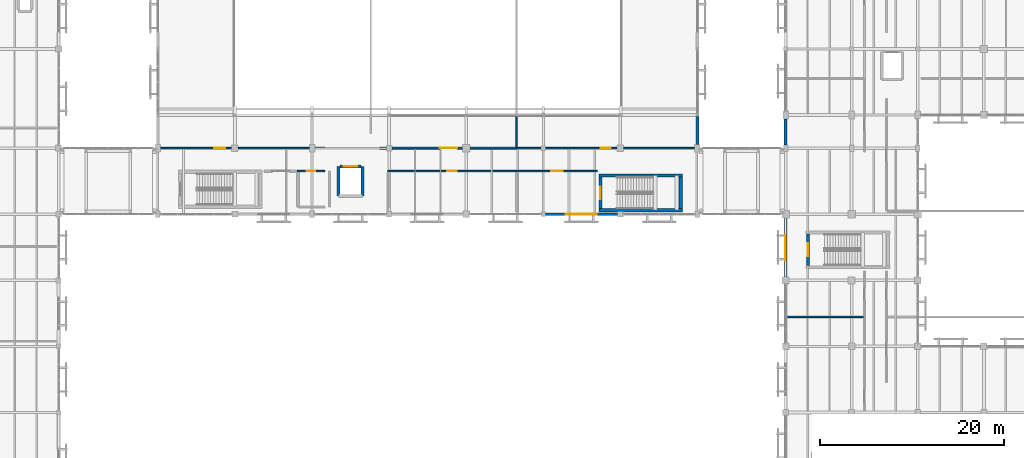
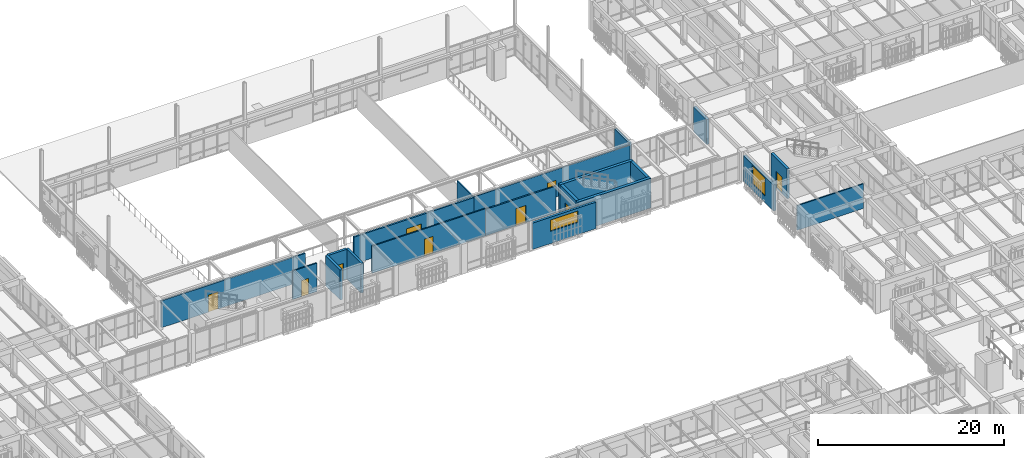
# One storey, part 135 of 170: 20 walls, 9 doors, 2 windows, 11 openings.
"""IFC4 building model written with IfcOpenShell, lengths in metres."""

from ifc_helpers import new_model, si_unit, direction, frame, frame_2d, origin, place, context, subcontext, project, spatial, rectangle, extrude, material, layer, layer_set, type_object, element, fill, save


model = new_model("IFC4")

# Units and contexts
model_context = context("Model", 3, precision=1e-05, world=origin(), true_north=direction((0.0, 1.0)))
body_context = subcontext(model_context, "Body", "Model", "MODEL_VIEW")
ifc_project = project(units=[si_unit("LENGTHUNIT", "METRE"), si_unit("AREAUNIT", "SQUARE_METRE"), si_unit("VOLUMEUNIT", "CUBIC_METRE"), si_unit("PLANEANGLEUNIT", "RADIAN"), si_unit("MASSUNIT", "GRAM", prefix="KILO")], contexts=[model_context])

# Site, building, storey
site_placement = place(None, origin())
site = spatial("IfcSite", under=ifc_project, at=site_placement, CompositionType="ELEMENT")
building_placement = place(site_placement, origin())
building = spatial("IfcBuilding", under=site, at=building_placement, Name="Mazaris Harbour Polytechnic", CompositionType="ELEMENT")
storey_placement = place(building_placement, frame((0.0, 0.0, 5.39990234375)))
storey = spatial("IfcBuildingStorey", under=building, at=storey_placement, Name="L01", CompositionType="ELEMENT", Elevation=5.39990234375)

# Walls
ifc_material_1 = material(Name="Double Gypsum and Mineral Wool")
ifc_layer_1 = layer(ifc_material_1, 0.14990234375, Name="Double Gypsum and Mineral Wool")
ifc_layer_set_1 = layer_set([ifc_layer_1], Name="Double Gypsum and Mineral Wool")
wall_type_1 = type_object("IfcWallType", Name="Classroom Acoustic Partition 150", PredefinedType="PARTITIONING", material=ifc_layer_set_1)
wall_1_placement = place(storey_placement, frame((93.10009765625, 82.919921875, 0.0), z_axis=(0.0, 0.0, 1.0), x_axis=(0.0, 1.0, 0.0)))
element("IfcWall", 1, at=wall_1_placement, inside=storey, type_object=wall_type_1, Name="V1 L01 Partition 56", PredefinedType="PARTITIONING", context=body_context, shape_type="SweptSolid", body=[
    extrude(rectangle(XDim=3.31005859375, YDim=0.14990234375, at=frame_2d((1.655029296875, 0.0))), origin(), (0.0, 0.0, 1.0), 3.630126953125),
])
wall_2_placement = place(storey_placement, frame((122.64990234375, 64.4140625, 0.0), z_axis=(0.0, 0.0, 1.0), x_axis=(1.0, 0.0, 0.0)))
element("IfcWall", 2, at=wall_2_placement, inside=storey, type_object=wall_type_1, Name="V5 L01 Partition 580", PredefinedType="PARTITIONING", context=body_context, shape_type="SweptSolid", body=[
    extrude(rectangle(XDim=8.22998046875, YDim=0.14990234375, at=frame_2d((4.114990234375, 0.0))), origin(), (0.0, 0.0, 1.0), 3.239990234375),
])

# Wall, opening, door
ifc_material_2 = material(Name="Terracotta Block and Plaster", Category="masonry")
ifc_layer_2 = layer(ifc_material_2, 0.179931640625, Name="Terracotta Block and Plaster")
ifc_layer_set_2 = layer_set([ifc_layer_2], Name="Terracotta Block and Plaster")
wall_type_2 = type_object("IfcWallType", Name="Corridor Fire Partition 180", PredefinedType="PARTITIONING", material=ifc_layer_set_2)
wall_3_placement = place(storey_placement, frame((93.10498046875, 80.300048828125, 0.0), z_axis=(0.0, 0.0, 1.0), x_axis=(1.0, 0.0, 0.0)))
wall_3 = element("IfcWall", 3, at=wall_3_placement, inside=storey, type_object=wall_type_2, Name="V1 L01 Partition 52", PredefinedType="PARTITIONING", context=body_context, shape_type="SweptSolid", body=[
    extrude(rectangle(XDim=8.77490234375, YDim=0.179931640625, at=frame_2d((4.387451171875, 0.0))), origin(), (0.0, 0.0, 1.0), 3.47021484375),
])
opening_1_placement = place(wall_3_placement, frame((3.767578125, 0.0, 0.0)))
opening_1 = element("IfcOpeningElement", 4, at=opening_1_placement, cuts=wall_3, Name="Opening ID-10R", PredefinedType="OPENING", context=body_context, shape_type="SweptSolid", body=[
    extrude(rectangle(XDim=1.239990234375, YDim=2.25, at=frame_2d((0.6201171875, 1.125))), frame((0.0, 0.099853515625, 0.0), z_axis=(0.0, -1.0, 0.0), x_axis=(1.0, 0.0, 0.0)), (0.0, 0.0, 1.0), 0.199951171875),
])
ifc_material_3 = material(Name="Glulam Timber and Glass", Category="wood")
door_type_1 = type_object("IfcDoorType", Name="Library Commons Door RH 1240x2250", OperationType="SINGLE_SWING_RIGHT", PredefinedType="DOOR", material=ifc_material_3)
door_1_placement = place(opening_1_placement, origin())
door_1 = element("IfcDoor", 5, at=door_1_placement, inside=storey, type_object=door_type_1, Name="ID-0024", OperationType="SINGLE_SWING_RIGHT", OverallHeight=2.25, OverallWidth=1.239990234375, PredefinedType="DOOR", context=body_context, shape_type="SweptSolid", body=[
    extrude(rectangle(XDim=1.239990234375, YDim=2.25, at=frame_2d((0.6201171875, 1.125))), frame((0.0, 0.02490234375, 0.0), z_axis=(0.0, -1.0, 0.0), x_axis=(1.0, 0.0, 0.0)), (0.0, 0.0, 1.0), 0.050048828125),
])
fill(opening_1, door_1)

wall_4_placement = place(storey_placement, frame((54.300048828125, 82.800048828125, 0.0), z_axis=(0.0, 0.0, 1.0), x_axis=(1.0, 0.0, 0.0)))
wall_4 = element("IfcWall", 6, at=wall_4_placement, inside=storey, type_object=wall_type_2, Name="V1 L01 Partition 53", PredefinedType="PARTITIONING", context=body_context, shape_type="SweptSolid", body=[
    extrude(rectangle(XDim=17.89501953125, YDim=0.179931640625, at=frame_2d((8.947509765625, 0.0))), origin(), (0.0, 0.0, 1.0), 3.530029296875),
])
opening_2_placement = place(wall_4_placement, frame((5.836181640625, 0.0, 0.0)))
opening_2 = element("IfcOpeningElement", 7, at=opening_2_placement, cuts=wall_4, Name="Opening ID-10L", PredefinedType="OPENING", context=body_context, shape_type="SweptSolid", body=[
    extrude(rectangle(XDim=1.219970703125, YDim=2.25, at=frame_2d((0.60986328125, 1.125))), frame((0.0, 0.099853515625, 0.0), z_axis=(0.0, -1.0, 0.0), x_axis=(1.0, 0.0, 0.0)), (0.0, 0.0, 1.0), 0.199951171875),
])
ifc_material_4 = material(Name="Glulam Timber and Glass", Category="wood")
door_type_2 = type_object("IfcDoorType", Name="Library Commons Door LH 1220x2250", OperationType="SINGLE_SWING_LEFT", PredefinedType="DOOR", material=ifc_material_4)
door_2_placement = place(opening_2_placement, origin())
door_2 = element("IfcDoor", 8, at=door_2_placement, inside=storey, type_object=door_type_2, Name="ID-0025", OperationType="SINGLE_SWING_LEFT", OverallHeight=2.25, OverallWidth=1.219970703125, PredefinedType="DOOR", context=body_context, shape_type="SweptSolid", body=[
    extrude(rectangle(XDim=1.219970703125, YDim=2.25, at=frame_2d((0.60986328125, 1.125))), frame((0.0, 0.02490234375, 0.0), z_axis=(0.0, -1.0, 0.0), x_axis=(1.0, 0.0, 0.0)), (0.0, 0.0, 1.0), 0.050048828125),
])
fill(opening_2, door_2)

ifc_material_5 = material(Name="Fireboard and Mineral Wool")
ifc_layer_3 = layer(ifc_material_5, 0.1650390625, Name="Fireboard and Mineral Wool")
ifc_layer_set_3 = layer_set([ifc_layer_3], Name="Fireboard and Mineral Wool")
wall_type_3 = type_object("IfcWallType", Name="Laboratory Rated Partition 165", PredefinedType="PARTITIONING", material=ifc_layer_set_3)
wall_5_placement = place(storey_placement, frame((79.0400390625, 80.300048828125, 0.0), z_axis=(0.0, 0.0, 1.0), x_axis=(1.0, 0.0, 0.0)))
wall_5 = element("IfcWall", 9, at=wall_5_placement, inside=storey, type_object=wall_type_3, Name="V1 L01 Partition 49", PredefinedType="PARTITIONING", context=body_context, shape_type="SweptSolid", body=[
    extrude(rectangle(XDim=14.06005859375, YDim=0.1650390625, at=frame_2d((7.030029296875, 0.0))), origin(), (0.0, 0.0, 1.0), 3.56005859375),
])
opening_3_placement = place(wall_5_placement, frame((6.5048828125, 0.0, 0.0)))
opening_3 = element("IfcOpeningElement", 10, at=opening_3_placement, cuts=wall_5, Name="Opening ID-02L", PredefinedType="OPENING", context=body_context, shape_type="SweptSolid", body=[
    extrude(rectangle(XDim=1.050048828125, YDim=2.199951171875, at=frame_2d((0.52490234375, 1.10009765625))), frame((0.0, 0.092529296875, 0.0), z_axis=(0.0, -1.0, 0.0), x_axis=(1.0, 0.0, 0.0)), (0.0, 0.0, 1.0), 0.18505859375),
])
ifc_material_6 = material(Name="Solid Timber and Vision Panel", Category="wood")
door_type_3 = type_object("IfcDoorType", Name="Laboratory Fire Door LH 1050x2200", OperationType="SINGLE_SWING_LEFT", PredefinedType="DOOR", material=ifc_material_6)
door_3_placement = place(opening_3_placement, origin())
door_3 = element("IfcDoor", 11, at=door_3_placement, inside=storey, type_object=door_type_3, Name="ID-0023", OperationType="SINGLE_SWING_LEFT", OverallHeight=2.199951171875, OverallWidth=1.050048828125, PredefinedType="DOOR", context=body_context, shape_type="SweptSolid", body=[
    extrude(rectangle(XDim=1.050048828125, YDim=2.199951171875, at=frame_2d((0.52490234375, 1.10009765625))), frame((0.0, 0.02490234375, 0.0), z_axis=(0.0, -1.0, 0.0), x_axis=(1.0, 0.0, 0.0)), (0.0, 0.0, 1.0), 0.050048828125),
])
fill(opening_3, door_3)

wall_6_placement = place(storey_placement, frame((93.10498046875, 82.800048828125, 0.0), z_axis=(0.0, 0.0, 1.0), x_axis=(1.0, 0.0, 0.0)))
wall_6 = element("IfcWall", 12, at=wall_6_placement, inside=storey, type_object=wall_type_3, Name="V1 L01 Partition 57", PredefinedType="PARTITIONING", context=body_context, shape_type="SweptSolid", body=[
    extrude(rectangle(XDim=19.39501953125, YDim=0.1650390625, at=frame_2d((9.697509765625, 0.0))), origin(), (0.0, 0.0, 1.0), 3.590087890625),
])
opening_4_placement = place(wall_6_placement, frame((9.172607421875, 0.0, 0.0)))
opening_4 = element("IfcOpeningElement", 13, at=opening_4_placement, cuts=wall_6, Name="Opening ID-02L", PredefinedType="OPENING", context=body_context, shape_type="SweptSolid", body=[
    extrude(rectangle(XDim=1.050048828125, YDim=2.199951171875, at=frame_2d((0.52490234375, 1.10009765625))), frame((0.0, 0.092529296875, 0.0), z_axis=(0.0, -1.0, 0.0), x_axis=(1.0, 0.0, 0.0)), (0.0, 0.0, 1.0), 0.18505859375),
])
door_4_placement = place(opening_4_placement, origin())
door_4 = element("IfcDoor", 14, at=door_4_placement, inside=storey, type_object=door_type_3, Name="ID-0027", OperationType="SINGLE_SWING_LEFT", OverallHeight=2.199951171875, OverallWidth=1.050048828125, PredefinedType="DOOR", context=body_context, shape_type="SweptSolid", body=[
    extrude(rectangle(XDim=1.050048828125, YDim=2.199951171875, at=frame_2d((0.52490234375, 1.10009765625))), frame((0.0, 0.02490234375, 0.0), z_axis=(0.0, -1.0, 0.0), x_axis=(1.0, 0.0, 0.0)), (0.0, 0.0, 1.0), 0.050048828125),
])
fill(opening_4, door_4)

# Wall, opening, window
ifc_material_7 = material(Name="Algerian Buff Limestone and Mineral Wool", Category="masonry")
ifc_layer_4 = layer(ifc_material_7, 0.31005859375, Name="Algerian Buff Limestone and Mineral Wool")
ifc_layer_set_4 = layer_set([ifc_layer_4], Name="Algerian Buff Limestone and Mineral Wool")
wall_type_4 = type_object("IfcWallType", Name="Limestone Studio Wall 310", PredefinedType="STANDARD", material=ifc_layer_set_4)
wall_7_placement = place(storey_placement, frame((122.39990234375, 68.76708984375, 0.0), z_axis=(0.0, 0.0, 1.0), x_axis=(0.0, 1.0, 0.0)))
wall_7 = element("IfcWall", 15, at=wall_7_placement, inside=storey, type_object=wall_type_4, Name="V5 L01 Exterior Wall 321", PredefinedType="STANDARD", context=body_context, shape_type="SweptSolid", body=[
    extrude(rectangle(XDim=6.44091796875, YDim=0.31005859375, at=frame_2d((3.220458984375, 0.0))), origin(), (0.0, 0.0, 1.0), 3.400146484375),
])
opening_5_placement = place(wall_7_placement, frame((1.820556640625, 0.0, 0.85009765625)))
opening_5 = element("IfcOpeningElement", 16, at=opening_5_placement, cuts=wall_7, Name="Opening WN-09", PredefinedType="OPENING", context=body_context, shape_type="SweptSolid", body=[
    extrude(rectangle(XDim=2.800048828125, YDim=2.39990234375, at=frame_2d((1.39990234375, 1.199951171875))), frame((0.0, 0.1650390625, 0.0), z_axis=(0.0, -1.0, 0.0), x_axis=(1.0, 0.0, 0.0)), (0.0, 0.0, 1.0), 0.330078125),
])
ifc_material_8 = material(Name="Thermally Broken Bronze Aluminium and Low-E Glass", Category="aluminium")
window_type_1 = type_object("IfcWindowType", Name="Studio North Window 2800x2400", PartitioningType="DOUBLE_PANEL_VERTICAL", PredefinedType="WINDOW", material=ifc_material_8)
window_1_placement = place(opening_5_placement, origin())
window_1 = element("IfcWindow", 17, at=window_1_placement, inside=storey, type_object=window_type_1, Name="WN-0374", OverallHeight=2.39990234375, OverallWidth=2.800048828125, PartitioningType="DOUBLE_PANEL_VERTICAL", PredefinedType="WINDOW", context=body_context, shape_type="SweptSolid", body=[
    extrude(rectangle(XDim=2.800048828125, YDim=2.39990234375, at=frame_2d((1.39990234375, 1.199951171875))), frame((0.0, 0.030029296875, 0.0), z_axis=(0.0, -1.0, 0.0), x_axis=(1.0, 0.0, 0.0)), (0.0, 0.0, 1.0), 0.06005859375),
])
fill(opening_5, window_1)

# Wall
wall_8_placement = place(storey_placement, frame((122.39990234375, 83.14208984375, 0.0), z_axis=(0.0, 0.0, 1.0), x_axis=(0.0, 1.0, 0.0)))
element("IfcWall", 18, at=wall_8_placement, inside=storey, type_object=wall_type_4, Name="V5 L01 Exterior Wall 322", PredefinedType="STANDARD", context=body_context, shape_type="SweptSolid", body=[
    extrude(rectangle(XDim=2.8408203125, YDim=0.31005859375, at=frame_2d((1.42041015625, 0.0))), origin(), (0.0, 0.0, 1.0), 3.280029296875),
])

# Wall, opening, door
ifc_material_9 = material(Name="Concrete C40/50", Category="concrete")
ifc_layer_5 = layer(ifc_material_9, 0.324951171875, Name="Concrete C40/50")
ifc_layer_set_5 = layer_set([ifc_layer_5], Name="Concrete C40/50")
wall_type_5 = type_object("IfcWallType", Name="RC Core Shear Wall 325", PredefinedType="SHEAR", material=ifc_layer_set_5)
wall_9_placement = place(storey_placement, frame((124.824951171875, 73.449951171875, 0.0), z_axis=(0.0, 0.0, 1.0), x_axis=(0.0, -1.0, 0.0)))
wall_9 = element("IfcWall", 19, at=wall_9_placement, inside=storey, type_object=wall_type_5, Name="Core ST09 L01 Entrance Shear Wall", PredefinedType="SHEAR", context=body_context, shape_type="SweptSolid", body=[
    extrude(rectangle(XDim=3.449951171875, YDim=0.324951171875, at=frame_2d((1.72509765625, 0.0))), origin(), (0.0, 0.0, 1.0), 3.920166015625),
])
opening_6_placement = place(wall_9_placement, frame((1.034912109375, 0.0, 0.0)))
opening_6 = element("IfcOpeningElement", 20, at=opening_6_placement, cuts=wall_9, Name="Opening SD-01", PredefinedType="OPENING", context=body_context, shape_type="SweptSolid", body=[
    extrude(rectangle(XDim=1.3798828125, YDim=2.199951171875, at=frame_2d((0.68994140625, 1.10009765625))), frame((0.0, 0.17236328125, 0.0), z_axis=(0.0, -1.0, 0.0), x_axis=(1.0, 0.0, 0.0)), (0.0, 0.0, 1.0), 0.344970703125),
])
ifc_material_10 = material(Name="Glulam Timber and Fire Glass", Category="wood")
door_type_4 = type_object("IfcDoorType", Name="Protected Stair Lobby Fire Door 1380x2200", OperationType="DOUBLE_DOOR_SINGLE_SWING", PredefinedType="DOOR", material=ifc_material_10)
door_5_placement = place(opening_6_placement, origin())
door_5 = element("IfcDoor", 21, at=door_5_placement, inside=storey, type_object=door_type_4, Name="SD-044", OperationType="DOUBLE_DOOR_SINGLE_SWING", OverallHeight=2.199951171875, OverallWidth=1.3798828125, PredefinedType="DOOR", context=body_context, shape_type="SweptSolid", body=[
    extrude(rectangle(XDim=1.3798828125, YDim=2.199951171875, at=frame_2d((0.68994140625, 1.10009765625))), frame((0.0, 0.02490234375, 0.0), z_axis=(0.0, -1.0, 0.0), x_axis=(1.0, 0.0, 0.0)), (0.0, 0.0, 1.0), 0.050048828125),
])
fill(opening_6, door_5)

# Walls
ifc_material_11 = material(Name="Concrete C40/50", Category="concrete")
ifc_layer_6 = layer(ifc_material_11, 0.35009765625, Name="Concrete C40/50")
ifc_layer_set_6 = layer_set([ifc_layer_6], Name="Concrete C40/50")
wall_type_6 = type_object("IfcWallType", Name="RC Core Shear Wall 350", PredefinedType="SHEAR", material=ifc_layer_set_6)
for number, where, z_axis, x_axis, name in (
    (22, (102.050048828125, 76.02490234375, 0.0), (0.0, 0.0, 1.0), (1.0, 0.0, 0.0), "Core ST02 L01 Shear Wall S"),
    (23, (111.14990234375, 79.824951171875, 0.0), (0.0, 0.0, 1.0), (-1.0, 0.0, 0.0), "Core ST02 L01 Shear Wall N"),
):
    element("IfcWall", number, at=place(storey_placement, frame(where, z_axis=z_axis, x_axis=x_axis)), inside=storey, type_object=wall_type_6, Name=name, PredefinedType="SHEAR", context=body_context, shape_type="SweptSolid", body=[
        extrude(rectangle(XDim=9.099853515625, YDim=0.35009765625, at=frame_2d((4.5498046875, 0.0))), origin(), (0.0, 0.0, 1.0), 3.920166015625),
    ])
wall_10_placement = place(storey_placement, frame((110.97509765625, 76.199951171875, 0.0), z_axis=(0.0, 0.0, 1.0), x_axis=(0.0, 1.0, 0.0)))
element("IfcWall", 24, at=wall_10_placement, inside=storey, type_object=wall_type_6, Name="Core ST02 L01 Shear Wall E", PredefinedType="SHEAR", context=body_context, shape_type="SweptSolid", body=[
    extrude(rectangle(XDim=3.449951171875, YDim=0.35009765625, at=frame_2d((1.72509765625, 0.0))), origin(), (0.0, 0.0, 1.0), 3.920166015625),
])

# Wall, opening, door
wall_11_placement = place(storey_placement, frame((102.22509765625, 79.64990234375, 0.0), z_axis=(0.0, 0.0, 1.0), x_axis=(0.0, -1.0, 0.0)))
wall_11 = element("IfcWall", 25, at=wall_11_placement, inside=storey, type_object=wall_type_6, Name="Core ST02 L01 Entrance Shear Wall", PredefinedType="SHEAR", context=body_context, shape_type="SweptSolid", body=[
    extrude(rectangle(XDim=3.449951171875, YDim=0.35009765625, at=frame_2d((1.72509765625, 0.0))), origin(), (0.0, 0.0, 1.0), 3.920166015625),
])
opening_7_placement = place(wall_11_placement, frame((1.034912109375, 0.0, 0.0)))
opening_7 = element("IfcOpeningElement", 26, at=opening_7_placement, cuts=wall_11, Name="Opening SD-01", PredefinedType="OPENING", context=body_context, shape_type="SweptSolid", body=[
    extrude(rectangle(XDim=1.3798828125, YDim=2.199951171875, at=frame_2d((0.68994140625, 1.10009765625))), frame((0.0, 0.18505859375, 0.0), z_axis=(0.0, -1.0, 0.0), x_axis=(1.0, 0.0, 0.0)), (0.0, 0.0, 1.0), 0.3701171875),
])
door_6_placement = place(opening_7_placement, origin())
door_6 = element("IfcDoor", 27, at=door_6_placement, inside=storey, type_object=door_type_4, Name="SD-007", OperationType="DOUBLE_DOOR_SINGLE_SWING", OverallHeight=2.199951171875, OverallWidth=1.3798828125, PredefinedType="DOOR", context=body_context, shape_type="SweptSolid", body=[
    extrude(rectangle(XDim=1.3798828125, YDim=2.199951171875, at=frame_2d((0.68994140625, 1.10009765625))), frame((0.0, 0.02490234375, 0.0), z_axis=(0.0, -1.0, 0.0), x_axis=(1.0, 0.0, 0.0)), (0.0, 0.0, 1.0), 0.050048828125),
])
fill(opening_7, door_6)

# Walls
ifc_material_12 = material(Name="Concrete C40/50", Category="concrete")
ifc_layer_7 = layer(ifc_material_12, 0.300048828125, Name="Concrete C40/50")
ifc_layer_set_7 = layer_set([ifc_layer_7], Name="Concrete C40/50")
wall_type_7 = type_object("IfcWallType", Name="RC Lift Shaft Wall 300", PredefinedType="SHEAR", material=ifc_layer_set_7)
for number, where, z_axis, x_axis, name in (
    (28, (73.699951171875, 80.800048828125, 0.0), (0.0, 0.0, 1.0), (0.0, -1.0, 0.0), "Lift LG-01 L01 West Shaft Wall"),
    (29, (76.300048828125, 77.60009765625, 0.0), (0.0, 0.0, 1.0), (0.0, 1.0, 0.0), "Lift LG-01 L01 East Shaft Wall"),
):
    element("IfcWall", number, at=place(storey_placement, frame(where, z_axis=z_axis, x_axis=x_axis)), inside=storey, type_object=wall_type_7, Name=name, PredefinedType="SHEAR", context=body_context, shape_type="SweptSolid", body=[
        extrude(rectangle(XDim=3.199951171875, YDim=0.300048828125, at=frame_2d((1.60009765625, 0.0))), origin(), (0.0, 0.0, 1.0), 3.920166015625),
    ])

# Wall, opening, door
wall_12_placement = place(storey_placement, frame((73.840087890625, 80.800048828125, 0.0), z_axis=(0.0, 0.0, 1.0), x_axis=(1.0, 0.0, 0.0)))
wall_12 = element("IfcWall", 30, at=wall_12_placement, inside=storey, type_object=wall_type_7, Name="Lift LG-01 L01 Front Shaft Wall", PredefinedType="SHEAR", context=body_context, shape_type="SweptSolid", body=[
    extrude(rectangle(XDim=2.31982421875, YDim=0.300048828125, at=frame_2d((1.159912109375, 0.0))), origin(), (0.0, 0.0, 1.0), 3.920166015625),
])
opening_8_placement = place(wall_12_placement, frame((0.409912109375, 0.0, 0.0)))
opening_8 = element("IfcOpeningElement", 31, at=opening_8_placement, cuts=wall_12, Name="Opening LD-03", PredefinedType="OPENING", context=body_context, shape_type="SweptSolid", body=[
    extrude(rectangle(XDim=1.5, YDim=2.199951171875, at=frame_2d((0.75, 1.10009765625))), frame((0.0, 0.159912109375, 0.0), z_axis=(0.0, -1.0, 0.0), x_axis=(1.0, 0.0, 0.0)), (0.0, 0.0, 1.0), 0.320068359375),
])
ifc_material_13 = material(Name="Stainless Steel S355", Category="steel")
door_type_5 = type_object("IfcDoorType", Name="Sliding Goods Lift Landing Door 1500x2200", OperationType="SLIDING_TO_LEFT", PredefinedType="DOOR", material=ifc_material_13)
door_7_placement = place(opening_8_placement, origin())
door_7 = element("IfcDoor", 32, at=door_7_placement, inside=storey, type_object=door_type_5, Name="LD-038", OperationType="SLIDING_TO_LEFT", OverallHeight=2.199951171875, OverallWidth=1.5, PredefinedType="DOOR", context=body_context, shape_type="SweptSolid", body=[
    extrude(rectangle(XDim=1.5, YDim=2.199951171875, at=frame_2d((0.75, 1.10009765625))), frame((0.0, 0.02490234375, 0.0), z_axis=(0.0, -1.0, 0.0), x_axis=(1.0, 0.0, 0.0)), (0.0, 0.0, 1.0), 0.050048828125),
])
fill(opening_8, door_7)

ifc_material_14 = material(Name="Moisture-Resistant Gypsum and Steel Stud", Category="steel")
ifc_layer_8 = layer(ifc_material_14, 0.14501953125, Name="Moisture-Resistant Gypsum and Steel Stud")
ifc_layer_set_8 = layer_set([ifc_layer_8], Name="Moisture-Resistant Gypsum and Steel Stud")
wall_type_8 = type_object("IfcWallType", Name="Sanitary Plumbing Wall 145", PredefinedType="PLUMBINGWALL", material=ifc_layer_set_8)
wall_13_placement = place(storey_placement, frame((69.199951171875, 80.300048828125, 0.0), z_axis=(0.0, 0.0, 1.0), x_axis=(1.0, 0.0, 0.0)))
wall_13 = element("IfcWall", 33, at=wall_13_placement, inside=storey, type_object=wall_type_8, Name="V1 L01 Partition 43", PredefinedType="PLUMBINGWALL", context=body_context, shape_type="SweptSolid", body=[
    extrude(rectangle(XDim=2.9951171875, YDim=0.14501953125, at=frame_2d((1.49755859375, 0.0))), origin(), (0.0, 0.0, 1.0), 3.7490234375),
])
opening_9_placement = place(wall_13_placement, frame((1.047607421875, 0.0, 0.0)))
opening_9 = element("IfcOpeningElement", 34, at=opening_9_placement, cuts=wall_13, Name="Opening ID-07R", PredefinedType="OPENING", context=body_context, shape_type="SweptSolid", body=[
    extrude(rectangle(XDim=0.89990234375, YDim=2.10009765625, at=frame_2d((0.449951171875, 1.050048828125))), frame((0.0, 0.08251953125, 0.0), z_axis=(0.0, -1.0, 0.0), x_axis=(1.0, 0.0, 0.0)), (0.0, 0.0, 1.0), 0.1650390625),
])
ifc_material_15 = material(Name="Moisture-Resistant Laminate Timber", Category="wood")
door_type_6 = type_object("IfcDoorType", Name="Sanitary Room Door RH 900x2100", OperationType="SINGLE_SWING_RIGHT", PredefinedType="DOOR", material=ifc_material_15)
door_8_placement = place(opening_9_placement, origin())
door_8 = element("IfcDoor", 35, at=door_8_placement, inside=storey, type_object=door_type_6, Name="ID-0021", OperationType="SINGLE_SWING_RIGHT", OverallHeight=2.10009765625, OverallWidth=0.89990234375, PredefinedType="DOOR", context=body_context, shape_type="SweptSolid", body=[
    extrude(rectangle(XDim=0.89990234375, YDim=2.10009765625, at=frame_2d((0.449951171875, 1.050048828125))), frame((0.0, 0.02490234375, 0.0), z_axis=(0.0, -1.0, 0.0), x_axis=(1.0, 0.0, 0.0)), (0.0, 0.0, 1.0), 0.050048828125),
])
fill(opening_9, door_8)

ifc_material_16 = material(Name="Concrete Masonry C30/37", Category="masonry")
ifc_layer_9 = layer(ifc_material_16, 0.2099609375, Name="Concrete Masonry C30/37")
ifc_layer_set_9 = layer_set([ifc_layer_9], Name="Concrete Masonry C30/37")
wall_type_9 = type_object("IfcWallType", Name="Workshop Compartment Wall 210", PredefinedType="STANDARD", material=ifc_layer_set_9)
wall_14_placement = place(storey_placement, frame((78.205078125, 82.800048828125, 0.0), z_axis=(0.0, 0.0, 1.0), x_axis=(1.0, 0.0, 0.0)))
wall_14 = element("IfcWall", 36, at=wall_14_placement, inside=storey, type_object=wall_type_9, Name="V1 L01 Partition 55", PredefinedType="STANDARD", context=body_context, shape_type="SweptSolid", body=[
    extrude(rectangle(XDim=14.89501953125, YDim=0.2099609375, at=frame_2d((7.447509765625, 0.0))), origin(), (0.0, 0.0, 1.0), 3.530029296875),
])
opening_10_placement = place(wall_14_placement, frame((6.49755859375, 0.0, 0.0)))
opening_10 = element("IfcOpeningElement", 37, at=opening_10_placement, cuts=wall_14, Name="Opening ID-05D", PredefinedType="OPENING", context=body_context, shape_type="SweptSolid", body=[
    extrude(rectangle(XDim=1.89990234375, YDim=2.35009765625, at=frame_2d((0.949951171875, 1.175048828125))), frame((0.0, 0.114990234375, 0.0), z_axis=(0.0, -1.0, 0.0), x_axis=(1.0, 0.0, 0.0)), (0.0, 0.0, 1.0), 0.22998046875),
])
ifc_material_17 = material(Name="Galvanised Steel S355", Category="steel")
door_type_7 = type_object("IfcDoorType", Name="Workshop Heavy Double Door 1900x2350", OperationType="DOUBLE_DOOR_SINGLE_SWING", PredefinedType="DOOR", material=ifc_material_17)
door_9_placement = place(opening_10_placement, origin())
door_9 = element("IfcDoor", 38, at=door_9_placement, inside=storey, type_object=door_type_7, Name="ID-0026", OperationType="DOUBLE_DOOR_SINGLE_SWING", OverallHeight=2.35009765625, OverallWidth=1.89990234375, PredefinedType="DOOR", context=body_context, shape_type="SweptSolid", body=[
    extrude(rectangle(XDim=1.89990234375, YDim=2.35009765625, at=frame_2d((0.949951171875, 1.175048828125))), frame((0.0, 0.02490234375, 0.0), z_axis=(0.0, -1.0, 0.0), x_axis=(1.0, 0.0, 0.0)), (0.0, 0.0, 1.0), 0.050048828125),
])
fill(opening_10, door_9)

# Wall, opening, window
ifc_material_18 = material(Name="Terracotta Masonry and Concrete C30/37", Category="masonry")
ifc_layer_10 = layer(ifc_material_18, 0.2900390625, Name="Terracotta Masonry and Concrete C30/37")
ifc_layer_set_10 = layer_set([ifc_layer_10], Name="Terracotta Masonry and Concrete C30/37")
wall_type_10 = type_object("IfcWallType", Name="Workshop Insulated Wall 290", PredefinedType="STANDARD", material=ifc_layer_set_10)
wall_15_placement = place(storey_placement, frame((104.0830078125, 75.60009765625, 0.0), z_axis=(0.0, 0.0, 1.0), x_axis=(-1.0, 0.0, 0.0)))
wall_15 = element("IfcWall", 39, at=wall_15_placement, inside=storey, type_object=wall_type_10, Name="V1 L01 Exterior Wall 17", PredefinedType="STANDARD", context=body_context, shape_type="SweptSolid", body=[
    extrude(rectangle(XDim=7.865966796875, YDim=0.2900390625, at=frame_2d((3.93310546875, 0.0))), origin(), (0.0, 0.0, 1.0), 3.47021484375),
])
opening_11_placement = place(wall_15_placement, frame((2.23291015625, 0.0, 1.60009765625)))
opening_11 = element("IfcOpeningElement", 40, at=opening_11_placement, cuts=wall_15, Name="Opening WN-16", PredefinedType="OPENING", context=body_context, shape_type="SweptSolid", body=[
    extrude(rectangle(XDim=3.39990234375, YDim=1.5, at=frame_2d((1.699951171875, 0.75))), frame((0.0, 0.155029296875, 0.0), z_axis=(0.0, -1.0, 0.0), x_axis=(1.0, 0.0, 0.0)), (0.0, 0.0, 1.0), 0.31005859375),
])
ifc_material_19 = material(Name="Thermally Broken Bronze Aluminium and Low-E Glass", Category="aluminium")
window_type_2 = type_object("IfcWindowType", Name="Workshop Clerestory Ribbon 3400x1500", PartitioningType="DOUBLE_PANEL_VERTICAL", PredefinedType="WINDOW", material=ifc_material_19)
window_2_placement = place(opening_11_placement, origin())
window_2 = element("IfcWindow", 41, at=window_2_placement, inside=storey, type_object=window_type_2, Name="WN-0007", OverallHeight=1.5, OverallWidth=3.39990234375, PartitioningType="DOUBLE_PANEL_VERTICAL", PredefinedType="WINDOW", context=body_context, shape_type="SweptSolid", body=[
    extrude(rectangle(XDim=3.39990234375, YDim=1.5, at=frame_2d((1.699951171875, 0.75))), frame((0.0, 0.030029296875, 0.0), z_axis=(0.0, -1.0, 0.0), x_axis=(1.0, 0.0, 0.0)), (0.0, 0.0, 1.0), 0.06005859375),
])
fill(opening_11, window_2)

# Wall
wall_16_placement = place(storey_placement, frame((112.800048828125, 86.302978515625, 0.0), z_axis=(0.0, 0.0, 1.0), x_axis=(0.0, -1.0, 0.0)))
element("IfcWall", 42, at=wall_16_placement, inside=storey, type_object=wall_type_10, Name="V1 L01 Exterior Wall 23", PredefinedType="STANDARD", context=body_context, shape_type="SweptSolid", body=[
    extrude(rectangle(XDim=3.0859375, YDim=0.2900390625, at=frame_2d((1.54296875, 0.0))), origin(), (0.0, 0.0, 1.0), 3.530029296875),
])

save(model, "model.ifc")
